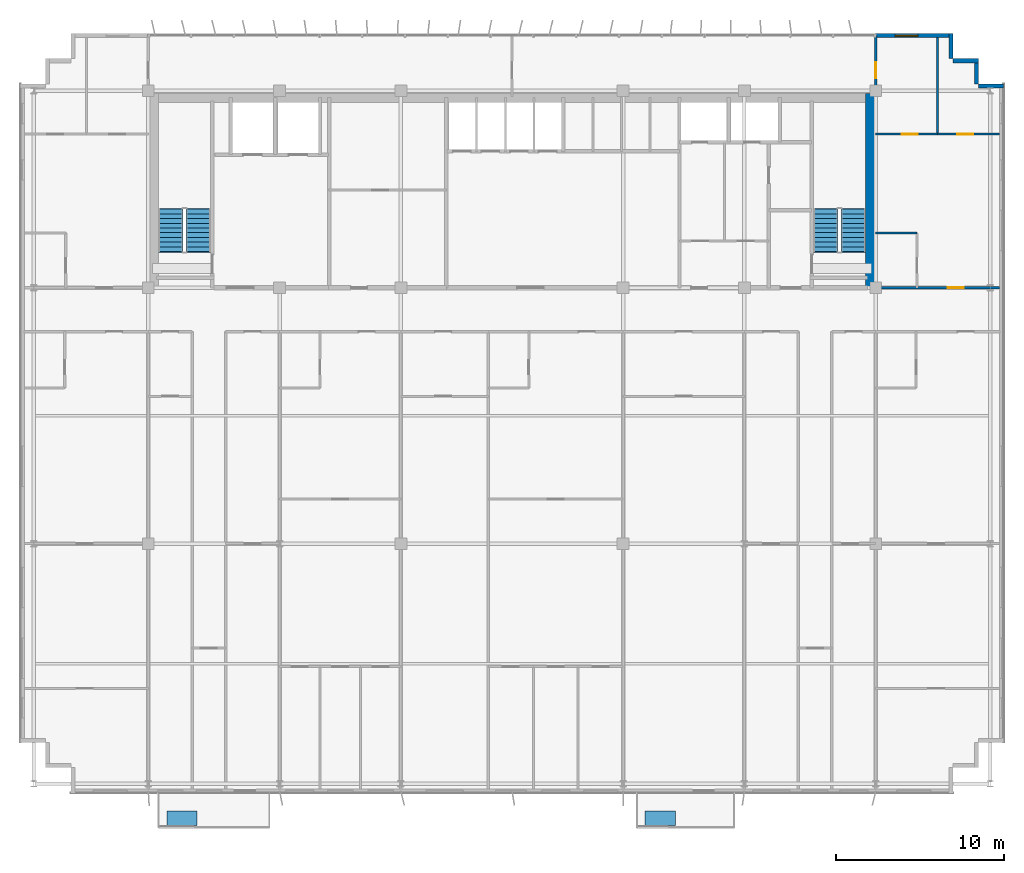
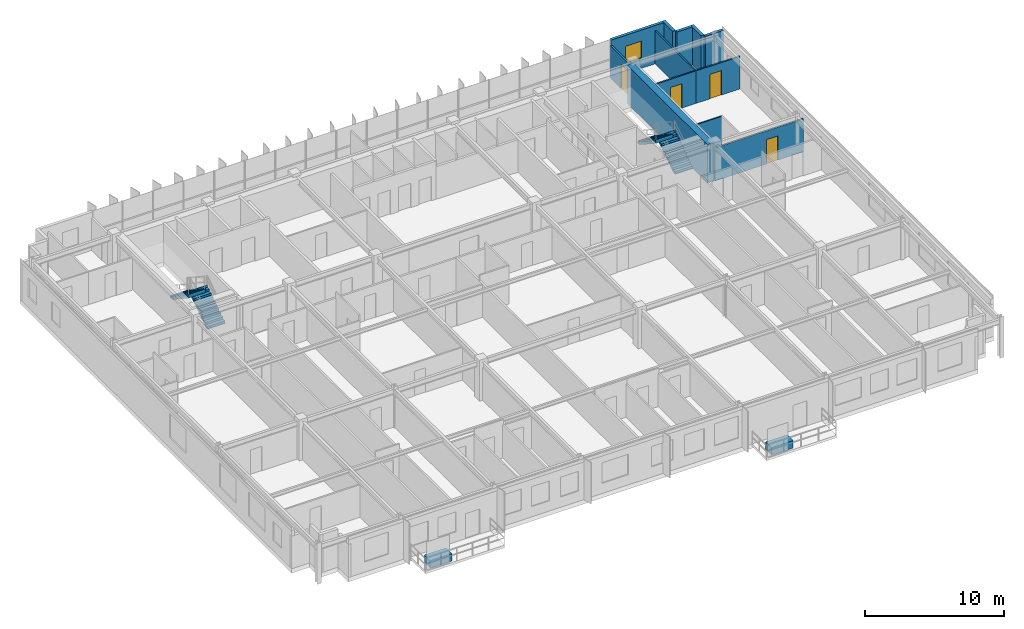
# One storey, part 21 of 23: 12 walls, 4 doors, 4 stair flights, 2 discrete accessories, 1 window, 5 openings, 2 elements without a shape of their own.
"""IFC4 building model written with IfcOpenShell, lengths in metres."""

from ifc_helpers import new_model, si_unit, direction, frame, frame_2d, origin, origin_2d, place, context, subcontext, project, spatial, polyline, rectangle, outline, extrude, source, transform, mapped, material, layer, layer_set, type_object, element, fill, aggregate, save


model = new_model("IFC4")

# Units and contexts
model_context = context("Model", 3, precision=1e-05, world=origin(), true_north=direction((0.0, 1.0)))
body_context = subcontext(model_context, "Body", "Model", "MODEL_VIEW")
ifc_project = project(units=[si_unit("LENGTHUNIT", "METRE"), si_unit("AREAUNIT", "SQUARE_METRE"), si_unit("VOLUMEUNIT", "CUBIC_METRE"), si_unit("PLANEANGLEUNIT", "RADIAN"), si_unit("MASSUNIT", "GRAM", prefix="KILO")], contexts=[model_context])

# Site, building, storey
site_placement = place(None, origin())
site = spatial("IfcSite", under=ifc_project, at=site_placement, CompositionType="ELEMENT")
building_placement = place(site_placement, origin())
building = spatial("IfcBuilding", under=site, at=building_placement, Name="Trelvane Seafront Commons", CompositionType="ELEMENT")
storey_placement = place(building_placement, frame((0.0, 0.0, 204.89990234375)))
storey = spatial("IfcBuildingStorey", under=building, at=storey_placement, Name="L53", CompositionType="ELEMENT", Elevation=204.89990234375)

# Wall, opening, window
ifc_material_1 = material(Name="Precast concrete C40/50", Category="concrete")
ifc_layer_1 = layer(ifc_material_1, 0.239990234375, Name="ARCH-WALL-EXT240")
ifc_layer_set_1 = layer_set([ifc_layer_1], Name="Precast concrete C40/50")
wall_type_1 = type_object("IfcWallType", Name="ARCH-WALL-EXT240", PredefinedType="SOLIDWALL", material=ifc_layer_set_1)
wall_1_placement = place(storey_placement, frame((58.800048828125, 48.3701171875, 0.0), z_axis=(0.0, 0.0, 1.0), x_axis=(1.0, 0.0, 0.0)))
wall_1 = element("IfcWall", 1, at=wall_1_placement, inside=storey, type_object=wall_type_1, Name="EW-L53-NE-1058", PredefinedType="SOLIDWALL", context=body_context, shape_type="SweptSolid", body=[
    extrude(rectangle(XDim=4.5, YDim=0.239990234375, at=frame_2d((2.25, 0.0))), origin(), (0.0, 0.0, 1.0), 3.360107421875),
])
opening_1_placement = place(wall_1_placement, frame((1.14697265625, 0.0, 0.89990234375)))
opening_1 = element("IfcOpeningElement", 2, at=opening_1_placement, cuts=wall_1, Name="Opening W09", PredefinedType="OPENING", context=body_context, shape_type="SweptSolid", body=[
    extrude(rectangle(XDim=1.35009765625, YDim=1.5, at=frame_2d((0.675048828125, 0.75))), frame((0.0, 0.1298828125, 0.0), z_axis=(0.0, -1.0, 0.0), x_axis=(1.0, 0.0, 0.0)), (0.0, 0.0, 1.0), 0.260009765625),
])
ifc_material_2 = material(Name="Low-E coastal double glazing", Category="glass")
window_type = type_object("IfcWindowType", Name="ARCH-WIN-W09", PartitioningType="SINGLE_PANEL", PredefinedType="WINDOW", material=ifc_material_2)
shared_shape_1 = source(origin(), body_context, "Body", "SweptSolid", [
    extrude(rectangle(XDim=1.35009765625, YDim=1.5, at=frame_2d((0.675048828125, 0.75))), frame((0.0, 0.030029296875, 0.0), z_axis=(0.0, -1.0, 0.0), x_axis=(1.0, 0.0, 0.0)), (0.0, 0.0, 1.0), 0.06005859375),
])
window_placement = place(opening_1_placement, origin())
window = element("IfcWindow", 3, at=window_placement, inside=storey, type_object=window_type, Name="WIN-L53-01272", OverallHeight=1.5, OverallWidth=1.35009765625, PartitioningType="SINGLE_PANEL", PredefinedType="WINDOW", context=body_context, shape_type="MappedRepresentation", body=[
    mapped(shared_shape_1, transform((0.0, 0.0, 0.0), x_axis=(1.0, 0.0, 0.0), y_axis=(0.0, 1.0, 0.0), z_axis=(0.0, 0.0, 1.0), scale=1.0)),
])
fill(opening_1, window)

# Walls
for number, where, z_axis, x_axis, name in (
    (4, (63.280029296875, 48.5, 0.0), (0.0, 0.0, 1.0), (0.0, -1.0, 0.0), "EW-L53-01067"),
    (5, (63.39990234375, 46.8798828125, 0.0), (0.0, 0.0, 1.0), (1.0, 0.0, 0.0), "EW-L53-01068"),
    (6, (64.780029296875, 47.0, 0.0), (0.0, 0.0, 1.0), (0.0, -1.0, 0.0), "EW-L53-01069"),
    (7, (64.89990234375, 45.3798828125, 0.0), (0.0, 0.0, 1.0), (1.0, 0.0, 0.0), "EW-L53-01070"),
):
    element("IfcWall", number, at=place(storey_placement, frame(where, z_axis=z_axis, x_axis=x_axis)), inside=storey, type_object=wall_type_1, Name=name, PredefinedType="SOLIDWALL", context=body_context, shape_type="SweptSolid", body=[
        extrude(rectangle(XDim=1.5, YDim=0.239990234375, at=frame_2d((0.75, 0.0))), origin(), (0.0, 0.0, 1.0), 3.360107421875),
    ])
ifc_material_3 = material(Name="Gypsum Drywall Acoustic Partition")
ifc_layer_2 = layer(ifc_material_3, 0.1201171875, Name="ARCH-WALL-PART120")
ifc_layer_set_2 = layer_set([ifc_layer_2], Name="Gypsum Drywall Acoustic Partition")
wall_type_2 = type_object("IfcWallType", Name="ARCH-WALL-PART120", PredefinedType="PARTITIONING", material=ifc_layer_set_2)
wall_2_placement = place(storey_placement, frame((58.800048828125, 36.64990234375, 0.0), z_axis=(0.0, 0.0, 1.0), x_axis=(1.0, 0.0, 0.0)))
element("IfcWall", 8, at=wall_2_placement, inside=storey, type_object=wall_type_2, Name="W-L53-NE-BN-043", PredefinedType="PARTITIONING", context=body_context, shape_type="SweptSolid", body=[
    extrude(rectangle(XDim=2.449951171875, YDim=0.1201171875, at=frame_2d((1.22509765625, 0.0))), origin(), (0.0, 0.0, 1.0), 2.860107421875),
])

# Wall, opening, door
wall_3_placement = place(storey_placement, frame((58.800048828125, 42.52001953125, 0.0), z_axis=(0.0, 0.0, 1.0), x_axis=(1.0, 0.0, 0.0)))
wall_3 = element("IfcWall", 9, at=wall_3_placement, inside=storey, type_object=wall_type_2, Name="W-L53-NE-KB1-044", PredefinedType="PARTITIONING", context=body_context, shape_type="SweptSolid", body=[
    extrude(rectangle(XDim=3.675048828125, YDim=0.1201171875, at=frame_2d((1.83740234375, 0.0))), origin(), (0.0, 0.0, 1.0), 2.860107421875),
])
opening_2_placement = place(wall_3_placement, frame((1.55908203125, 0.0, 0.0)))
opening_2 = element("IfcOpeningElement", 10, at=opening_2_placement, cuts=wall_3, Name="Opening D-L53-25", PredefinedType="OPENING", context=body_context, shape_type="SweptSolid", body=[
    extrude(rectangle(XDim=0.949951171875, YDim=2.14990234375, at=frame_2d((0.47509765625, 1.074951171875))), frame((0.0, 0.070068359375, 0.0), z_axis=(0.0, -1.0, 0.0), x_axis=(1.0, 0.0, 0.0)), (0.0, 0.0, 1.0), 0.14013671875),
])
ifc_material_4 = material(Name="Acoustic timber door leaf", Category="wood")
door_type_1 = type_object("IfcDoorType", Name="ARCH-DR-INT950", OperationType="NOTDEFINED", PredefinedType="DOOR", material=ifc_material_4)
shared_shape_2 = source(origin(), body_context, "Body", "SweptSolid", [
    extrude(rectangle(XDim=0.949951171875, YDim=2.14990234375, at=frame_2d((0.47509765625, 1.074951171875))), frame((0.0, 0.02490234375, 0.0), z_axis=(0.0, -1.0, 0.0), x_axis=(1.0, 0.0, 0.0)), (0.0, 0.0, 1.0), 0.050048828125),
])
door_1_placement = place(opening_2_placement, origin())
door_1 = element("IfcDoor", 11, at=door_1_placement, inside=storey, type_object=door_type_1, Name="L53 Door 25", OperationType="SINGLE_SWING_LEFT", OverallHeight=2.14990234375, OverallWidth=0.949951171875, PredefinedType="DOOR", context=body_context, shape_type="MappedRepresentation", body=[
    mapped(shared_shape_2, transform((0.0, 0.0, 0.0), x_axis=(1.0, 0.0, 0.0), y_axis=(0.0, 1.0, 0.0), z_axis=(0.0, 0.0, 1.0), scale=1.0)),
])
fill(opening_2, door_1)

wall_4_placement = place(storey_placement, frame((62.47509765625, 42.52001953125, 0.0), z_axis=(0.0, 0.0, 1.0), x_axis=(1.0, 0.0, 0.0)))
wall_4 = element("IfcWall", 12, at=wall_4_placement, inside=storey, type_object=wall_type_2, Name="W-L53-NE-KB2-045", PredefinedType="PARTITIONING", context=body_context, shape_type="SweptSolid", body=[
    extrude(rectangle(XDim=3.6748046875, YDim=0.1201171875, at=frame_2d((1.83740234375, 0.0))), origin(), (0.0, 0.0, 1.0), 2.860107421875),
])
opening_3_placement = place(wall_4_placement, frame((1.166015625, 0.0, 0.0)))
opening_3 = element("IfcOpeningElement", 13, at=opening_3_placement, cuts=wall_4, Name="Opening D-L53-26", PredefinedType="OPENING", context=body_context, shape_type="SweptSolid", body=[
    extrude(rectangle(XDim=0.949951171875, YDim=2.14990234375, at=frame_2d((0.47509765625, 1.074951171875))), frame((0.0, 0.070068359375, 0.0), z_axis=(0.0, -1.0, 0.0), x_axis=(1.0, 0.0, 0.0)), (0.0, 0.0, 1.0), 0.14013671875),
])
door_2_placement = place(opening_3_placement, origin())
door_2 = element("IfcDoor", 14, at=door_2_placement, inside=storey, type_object=door_type_1, Name="L53 Door 26", OperationType="SINGLE_SWING_RIGHT", OverallHeight=2.14990234375, OverallWidth=0.949951171875, PredefinedType="DOOR", context=body_context, shape_type="MappedRepresentation", body=[
    mapped(shared_shape_2, transform((0.0, 0.0, 0.0), x_axis=(1.0, 0.0, 0.0), y_axis=(0.0, 1.0, 0.0), z_axis=(0.0, 0.0, 1.0), scale=1.0)),
])
fill(opening_3, door_2)

# Wall
wall_5_placement = place(storey_placement, frame((62.47509765625, 42.52001953125, 0.0), z_axis=(0.0, 0.0, 1.0), x_axis=(0.0, 1.0, 0.0)))
element("IfcWall", 15, at=wall_5_placement, inside=storey, type_object=wall_type_2, Name="W-L53-NE-KBDV-046", PredefinedType="PARTITIONING", context=body_context, shape_type="SweptSolid", body=[
    extrude(rectangle(XDim=5.739990234375, YDim=0.1201171875, at=frame_2d((2.8701171875, 0.0))), origin(), (0.0, 0.0, 1.0), 2.91015625),
])

# Wall, opening, door
ifc_layer_3 = layer(ifc_material_3, 0.14990234375, Name="ARCH-WALL-PART150")
ifc_layer_set_3 = layer_set([ifc_layer_3], Name="Gypsum Drywall Acoustic Partition")
wall_type_3 = type_object("IfcWallType", Name="ARCH-WALL-PART150", PredefinedType="PARTITIONING", material=ifc_layer_set_3)
wall_6_placement = place(storey_placement, frame((58.800048828125, 33.39990234375, 0.0), z_axis=(0.0, 0.0, 1.0), x_axis=(1.0, 0.0, 0.0)))
wall_6 = element("IfcWall", 16, at=wall_6_placement, inside=storey, type_object=wall_type_3, Name="W-L53-NE-ENT-047", PredefinedType="PARTITIONING", context=body_context, shape_type="SweptSolid", body=[
    extrude(rectangle(XDim=7.349853515625, YDim=0.14990234375, at=frame_2d((3.6748046875, 0.0))), origin(), (0.0, 0.0, 1.0), 2.91015625),
])
opening_4_placement = place(wall_6_placement, frame((4.27490234375, 0.0, 0.0)))
opening_4 = element("IfcOpeningElement", 17, at=opening_4_placement, cuts=wall_6, Name="Opening FD-L53-27", PredefinedType="OPENING", context=body_context, shape_type="SweptSolid", body=[
    extrude(rectangle(XDim=0.949951171875, YDim=2.14990234375, at=frame_2d((0.47509765625, 1.074951171875))), frame((0.0, 0.0849609375, 0.0), z_axis=(0.0, -1.0, 0.0), x_axis=(1.0, 0.0, 0.0)), (0.0, 0.0, 1.0), 0.169921875),
])
ifc_material_5 = material(Name="Powder-coated aluminium frame", Category="aluminium")
door_type_2 = type_object("IfcDoorType", Name="ARCH-DR-FD60-950", OperationType="NOTDEFINED", PredefinedType="DOOR", material=ifc_material_5)
door_3_placement = place(opening_4_placement, origin())
door_3 = element("IfcDoor", 18, at=door_3_placement, inside=storey, type_object=door_type_2, Name="L53 NE Flat Entrance Door", OperationType="SINGLE_SWING_LEFT", OverallHeight=2.14990234375, OverallWidth=0.949951171875, PredefinedType="DOOR", context=body_context, shape_type="MappedRepresentation", body=[
    mapped(shared_shape_2, transform((0.0, 0.0, 0.0), x_axis=(1.0, 0.0, 0.0), y_axis=(0.0, 1.0, 0.0), z_axis=(0.0, 0.0, 1.0), scale=1.0)),
])
fill(opening_4, door_3)

wall_7_placement = place(storey_placement, frame((58.800048828125, 44.75, 0.0), z_axis=(0.0, 0.0, 1.0), x_axis=(0.0, 1.0, 0.0)))
wall_7 = element("IfcWall", 19, at=wall_7_placement, inside=storey, type_object=wall_type_3, Name="W-L53-N-LINK-E-050", PredefinedType="PARTITIONING", context=body_context, shape_type="SweptSolid", body=[
    extrude(rectangle(XDim=3.610107421875, YDim=0.14990234375, at=frame_2d((1.80517578125, 0.0))), origin(), (0.0, 0.0, 1.0), 2.860107421875),
])
opening_5_placement = place(wall_7_placement, frame((1.10009765625, 0.0, 0.0)))
opening_5 = element("IfcOpeningElement", 20, at=opening_5_placement, cuts=wall_7, Name="Opening FD-L53-30", PredefinedType="OPENING", context=body_context, shape_type="SweptSolid", body=[
    extrude(rectangle(XDim=0.949951171875, YDim=2.14990234375, at=frame_2d((0.47509765625, 1.074951171875))), frame((0.0, 0.0849609375, 0.0), z_axis=(0.0, -1.0, 0.0), x_axis=(1.0, 0.0, 0.0)), (0.0, 0.0, 1.0), 0.169921875),
])
door_4_placement = place(opening_5_placement, origin())
door_4 = element("IfcDoor", 21, at=door_4_placement, inside=storey, type_object=door_type_2, Name="L53 Door 30", OperationType="SINGLE_SWING_RIGHT", OverallHeight=2.14990234375, OverallWidth=0.949951171875, PredefinedType="DOOR", context=body_context, shape_type="MappedRepresentation", body=[
    mapped(shared_shape_2, transform((0.0, 0.0, 0.0), x_axis=(1.0, 0.0, 0.0), y_axis=(0.0, 1.0, 0.0), z_axis=(0.0, 0.0, 1.0), scale=1.0)),
])
fill(opening_5, door_4)

# Wall
ifc_material_6 = material(Name="Concrete C50/60", Category="concrete")
ifc_layer_4 = layer(ifc_material_6, 0.550048828125, Name="STR-WALL-CORE550")
ifc_layer_set_4 = layer_set([ifc_layer_4], Name="Concrete C50/60")
wall_type_4 = type_object("IfcWallType", Name="STR-WALL-CORE550", PredefinedType="SHEAR", material=ifc_layer_set_4)
wall_8_placement = place(storey_placement, frame((58.47509765625, 33.39990234375, 0.0), z_axis=(0.0, 0.0, 1.0), x_axis=(0.0, 1.0, 0.0)))
element("IfcWall", 22, at=wall_8_placement, inside=storey, type_object=wall_type_4, Name="W-L53-CE-END-003", PredefinedType="SHEAR", context=body_context, shape_type="SweptSolid", body=[
    extrude(rectangle(XDim=11.550048828125, YDim=0.550048828125, at=frame_2d((5.77490234375, 0.0))), origin(), (0.0, 0.0, 1.0), 3.360107421875),
])

# Stair, stair flights
ifc_material_7 = material(Name="Concrete C40/50", Category="concrete")
stair_type_1 = type_object("IfcStairType", Name="ARCH-STR-ST-1-R20-180", PredefinedType="HALF_TURN_STAIR", material=ifc_material_7)
stair_1_placement = place(storey_placement, origin())
stair_1 = element("IfcStair", 23, at=stair_1_placement, inside=storey, type_object=stair_type_1, Name="L53 West Protected Firefighting Exit Stair ST-1", PredefinedType="HALF_TURN_STAIR")
stair_flight_type_1 = type_object("IfcStairFlightType", Name="ARCH-FLG-ST-1-R20-180", PredefinedType="STRAIGHT", material=ifc_material_7)
shared_shape_3 = source(origin(), body_context, "Body", "SweptSolid", [
    extrude(outline(polyline([(-0.050048828125, -0.02001953125), (-0.050048828125, 0.0), (0.0, 0.0), (0.0, 0.179931640625), (0.280029296875, 0.179931640625), (0.280029296875, 0.360107421875), (0.56005859375, 0.360107421875), (0.56005859375, 0.5400390625), (0.840087890625, 0.5400390625), (0.840087890625, 0.719970703125), (1.1201171875, 0.719970703125), (1.1201171875, 0.89990234375), (1.39990234375, 0.89990234375), (1.39990234375, 1.080078125), (1.679931640625, 1.080078125), (1.679931640625, 1.260009765625), (1.9599609375, 1.260009765625), (1.9599609375, 1.43994140625), (2.239990234375, 1.43994140625), (2.239990234375, 1.6201171875), (2.52001953125, 1.6201171875), (2.52001953125, 1.800048828125), (2.570068359375, 1.800048828125), (2.570068359375, 1.650146484375), (2.52001953125, 1.44189453125), (0.277099609375, -0.02001953125), (-0.050048828125, -0.02001953125)])), frame((0.0, 0.72509765625, 0.0), z_axis=(0.0, -1.0, 0.0), x_axis=(1.0, 0.0, 0.0)), (0.0, 0.0, 1.0), 1.449951171875),
])
stair_flight_1_placement = place(storey_placement, frame((18.574951171875, 35.550048828125, 0.0), z_axis=(0.0, 0.0, 1.0), x_axis=(0.0, 1.0, 0.0)))
stair_flight_1 = element("IfcStairFlight", 24, at=stair_flight_1_placement, type_object=stair_flight_type_1, Name="ST-1 flight 1", NumberOfRisers=10, NumberOfTreads=9, PredefinedType="STRAIGHT", RiserHeight=0.18, TreadLength=0.28, context=body_context, shape_type="MappedRepresentation", body=[
    mapped(shared_shape_3, transform((0.0, 0.0, 0.0), x_axis=(1.0, 0.0, 0.0), y_axis=(0.0, 1.0, 0.0), z_axis=(0.0, 0.0, 1.0), scale=1.0)),
])
stair_flight_2_placement = place(storey_placement, frame((16.925048828125, 38.070068359375, 1.800048828125), z_axis=(0.0, 0.0, 1.0), x_axis=(0.0, -1.0, 0.0)))
stair_flight_2 = element("IfcStairFlight", 25, at=stair_flight_2_placement, type_object=stair_flight_type_1, Name="ST-1 flight 2", NumberOfRisers=10, NumberOfTreads=9, PredefinedType="STRAIGHT", RiserHeight=0.18, TreadLength=0.28, context=body_context, shape_type="MappedRepresentation", body=[
    mapped(shared_shape_3, transform((0.0, 0.0, 0.0), x_axis=(1.0, 0.0, 0.0), y_axis=(0.0, 1.0, 0.0), z_axis=(0.0, 0.0, 1.0), scale=1.0)),
])
aggregate(stair_1, [stair_flight_1, stair_flight_2])

stair_type_2 = type_object("IfcStairType", Name="ARCH-STR-ST-2-R20-180", PredefinedType="HALF_TURN_STAIR", material=ifc_material_7)
stair_2_placement = place(storey_placement, origin())
stair_2 = element("IfcStair", 26, at=stair_2_placement, inside=storey, type_object=stair_type_2, Name="L53 East Protected Firefighting Exit Stair ST-2", PredefinedType="HALF_TURN_STAIR")
stair_flight_type_2 = type_object("IfcStairFlightType", Name="ARCH-FLG-ST-2-R20-180", PredefinedType="STRAIGHT", material=ifc_material_7)
stair_flight_3_placement = place(storey_placement, frame((57.47509765625, 35.550048828125, 0.0), z_axis=(0.0, 0.0, 1.0), x_axis=(0.0, 1.0, 0.0)))
stair_flight_3 = element("IfcStairFlight", 27, at=stair_flight_3_placement, type_object=stair_flight_type_2, Name="ST-2 flight 1", NumberOfRisers=10, NumberOfTreads=9, PredefinedType="STRAIGHT", RiserHeight=0.18, TreadLength=0.28, context=body_context, shape_type="MappedRepresentation", body=[
    mapped(shared_shape_3, transform((0.0, 0.0, 0.0), x_axis=(1.0, 0.0, 0.0), y_axis=(0.0, 1.0, 0.0), z_axis=(0.0, 0.0, 1.0), scale=1.0)),
])
stair_flight_4_placement = place(storey_placement, frame((55.824951171875, 38.070068359375, 1.800048828125), z_axis=(0.0, 0.0, 1.0), x_axis=(0.0, -1.0, 0.0)))
stair_flight_4 = element("IfcStairFlight", 28, at=stair_flight_4_placement, type_object=stair_flight_type_2, Name="ST-2 flight 2", NumberOfRisers=10, NumberOfTreads=9, PredefinedType="STRAIGHT", RiserHeight=0.18, TreadLength=0.28, context=body_context, shape_type="MappedRepresentation", body=[
    mapped(shared_shape_3, transform((0.0, 0.0, 0.0), x_axis=(1.0, 0.0, 0.0), y_axis=(0.0, 1.0, 0.0), z_axis=(0.0, 0.0, 1.0), scale=1.0)),
])
aggregate(stair_2, [stair_flight_3, stair_flight_4])

# Discrete accessories
discrete_accessory_type = type_object("IfcDiscreteAccessoryType", Name="ARCH-ACC-PLANTER", PredefinedType="USERDEFINED", material=ifc_material_1)
shared_shape_4 = source(origin(), body_context, "Body", "SweptSolid", [
    extrude(rectangle(XDim=1.800048828125, YDim=0.85009765625, at=origin_2d()), origin(), (0.0, 0.0, 1.0), 0.64990234375),
])
for number, where, z_axis, x_axis, name in (
    (29, (17.60009765625, 1.89990234375, 0.000244140625), (0.0, 0.0, 1.0), (1.0, 0.0, 0.0), "PLN-L53-B0-057"),
    (30, (46.0, 1.89990234375, 0.000244140625), (0.0, 0.0, 1.0), (1.0, 0.0, 0.0), "PLN-L53-B1-058"),
):
    element("IfcDiscreteAccessory", number, at=place(storey_placement, frame(where, z_axis=z_axis, x_axis=x_axis)), inside=storey, type_object=discrete_accessory_type, Name=name, ObjectType="BALCONY TREE PLANTER", PredefinedType="USERDEFINED", context=body_context, shape_type="MappedRepresentation", body=[
        mapped(shared_shape_4, transform((0.0, 0.0, 0.0), x_axis=(1.0, 0.0, 0.0), y_axis=(0.0, 1.0, 0.0), z_axis=(0.0, 0.0, 1.0), scale=1.0)),
    ])

save(model, "model.ifc")
